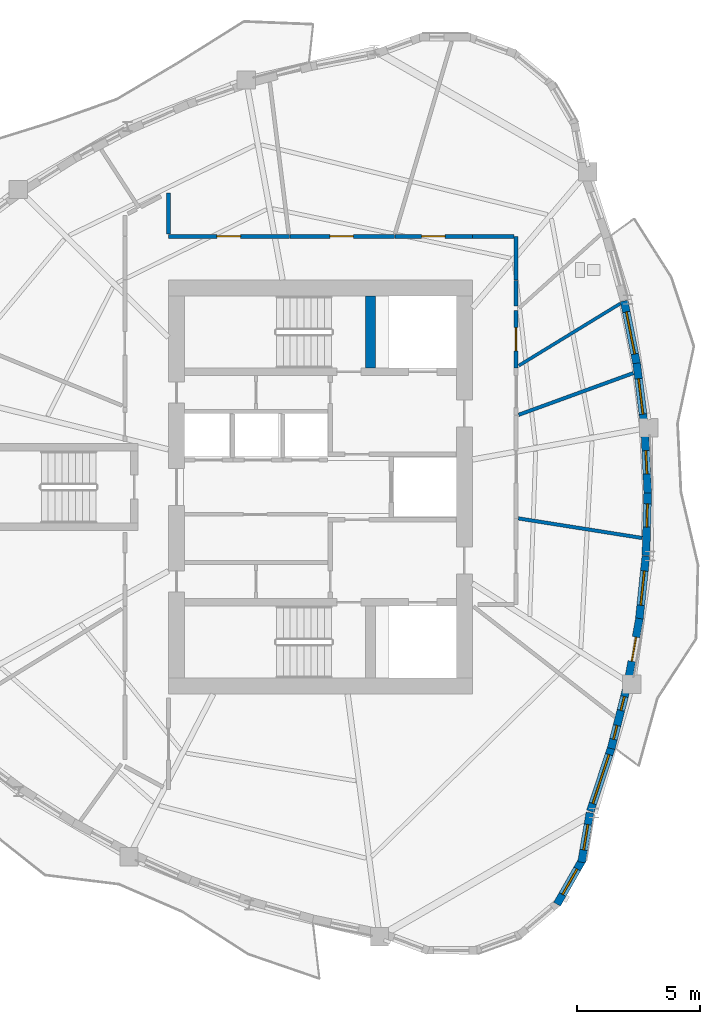
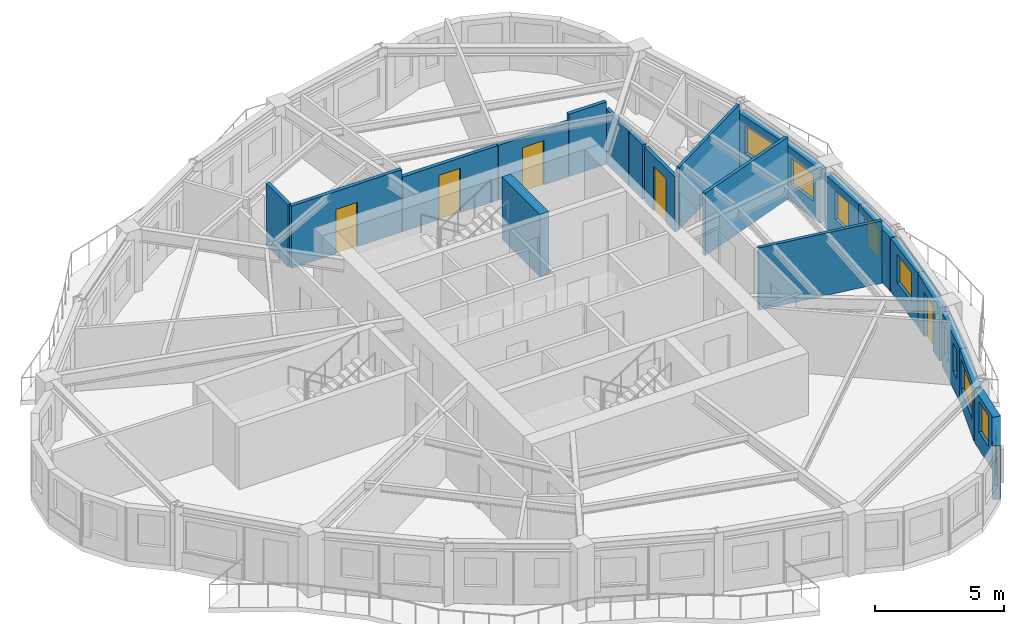
# One storey, part 6 of 12: 22 walls, 10 windows, 5 doors, 15 openings.
"""IFC4 building model written with IfcOpenShell, lengths in metres."""

from ifc_helpers import new_model, si_unit, direction, frame, frame_2d, origin, place, context, subcontext, project, spatial, rectangle, extrude, source, transform, mapped, material, layer, layer_set, type_object, element, fill, save


model = new_model("IFC4")

# Units and contexts
model_context = context("Model", 3, precision=1e-05, world=origin(), true_north=direction((0.0, 1.0)))
body_context = subcontext(model_context, "Body", "Model", "MODEL_VIEW")
ifc_project = project(units=[si_unit("LENGTHUNIT", "METRE"), si_unit("AREAUNIT", "SQUARE_METRE"), si_unit("VOLUMEUNIT", "CUBIC_METRE"), si_unit("PLANEANGLEUNIT", "RADIAN"), si_unit("MASSUNIT", "GRAM", prefix="KILO")], contexts=[model_context])

# Site, building, storey
site_placement = place(None, origin())
site = spatial("IfcSite", under=ifc_project, at=site_placement, CompositionType="ELEMENT")
building_placement = place(site_placement, origin())
building = spatial("IfcBuilding", under=site, at=building_placement, Name="Qafzar Sky-Pleat Residences", CompositionType="ELEMENT")
storey_placement = place(building_placement, frame((0.0, 0.0, 171.39990234375)))
storey = spatial("IfcBuildingStorey", under=building, at=storey_placement, Name="L51", CompositionType="ELEMENT", Elevation=171.39990234375)

# Wall, opening, door
ifc_material_1 = material(Name="Acoustic gypsum plasterboard partition", Category="gypsum")
ifc_layer_1 = layer(ifc_material_1, 0.159912109375)
ifc_layer_set_1 = layer_set([ifc_layer_1], Name="Acoustic gypsum plasterboard partition")
wall_type_1 = type_object("IfcWallType", Name="PART-COR-160", PredefinedType="PARTITIONING", material=ifc_layer_set_1)
wall_1_placement = place(storey_placement, frame((24.14990234375, 36.22998046875, 0.0), z_axis=(0.0, 0.0, 1.0), x_axis=(1.0, 0.0, 0.0)))
wall_1 = element("IfcWall", 1, at=wall_1_placement, inside=storey, type_object=wall_type_1, Name="L51 Partition Wall PART-L51-PW-003", PredefinedType="PARTITIONING", context=body_context, shape_type="SweptSolid", body=[
    extrude(rectangle(XDim=4.93603515625, YDim=0.159912109375, at=frame_2d((2.468017578125, 0.0))), origin(), (0.0, 0.0, 1.0), 2.9501953125),
])
opening_1_placement = place(wall_1_placement, frame((1.98046875, 0.0, 0.0)))
opening_1 = element("IfcOpeningElement", 2, at=opening_1_placement, cuts=wall_1, Name="Opening ID-06", PredefinedType="OPENING", context=body_context, shape_type="SweptSolid", body=[
    extrude(rectangle(XDim=0.9599609375, YDim=2.10009765625, at=frame_2d((0.47998046875, 1.050048828125))), frame((0.0, 0.08984375, 0.0), z_axis=(0.0, -1.0, 0.0), x_axis=(1.0, 0.0, 0.0)), (0.0, 0.0, 1.0), 0.179931640625),
])
ifc_material_2 = material(Name="Timber-faced fire door", Category="wood")
door_type_1 = type_object("IfcDoorType", Name="DR-STD-960", OperationType="NOTDEFINED", PredefinedType="DOOR", material=ifc_material_2)
shared_shape_1 = source(origin(), body_context, "Body", "SweptSolid", [
    extrude(rectangle(XDim=0.9599609375, YDim=2.10009765625, at=frame_2d((0.47998046875, 1.050048828125))), frame((0.0, 0.02490234375, 0.0), z_axis=(0.0, -1.0, 0.0), x_axis=(1.0, 0.0, 0.0)), (0.0, 0.0, 1.0), 0.050048828125),
])
door_1_placement = place(opening_1_placement, origin())
door_1 = element("IfcDoor", 3, at=door_1_placement, inside=storey, type_object=door_type_1, Name="L51 Wellness Yoga Studio Door", OperationType="SINGLE_SWING_LEFT", OverallHeight=2.10009765625, OverallWidth=0.9599609375, PredefinedType="DOOR", context=body_context, shape_type="MappedRepresentation", body=[
    mapped(shared_shape_1, transform((0.0, 0.0, 0.0), x_axis=(1.0, 0.0, 0.0), y_axis=(0.0, 1.0, 0.0), z_axis=(0.0, 0.0, 1.0), scale=1.0)),
])
fill(opening_1, door_1)

wall_2_placement = place(storey_placement, frame((29.10107421875, 36.22998046875, 0.0), z_axis=(0.0, 0.0, 1.0), x_axis=(1.0, 0.0, 0.0)))
wall_2 = element("IfcWall", 4, at=wall_2_placement, inside=storey, type_object=wall_type_1, Name="L51 Partition Wall PART-L51-PW-004", PredefinedType="PARTITIONING", context=body_context, shape_type="SweptSolid", body=[
    extrude(rectangle(XDim=4.280029296875, YDim=0.159912109375, at=frame_2d((2.14013671875, 0.0))), origin(), (0.0, 0.0, 1.0), 2.588134765625),
])
opening_2_placement = place(wall_2_placement, frame((1.636962890625, 0.0, 0.0)))
opening_2 = element("IfcOpeningElement", 5, at=opening_2_placement, cuts=wall_2, Name="Opening ID-06", PredefinedType="OPENING", context=body_context, shape_type="SweptSolid", body=[
    extrude(rectangle(XDim=0.9599609375, YDim=2.10009765625, at=frame_2d((0.47998046875, 1.050048828125))), frame((0.0, 0.08984375, 0.0), z_axis=(0.0, -1.0, 0.0), x_axis=(1.0, 0.0, 0.0)), (0.0, 0.0, 1.0), 0.179931640625),
])
door_2_placement = place(opening_2_placement, origin())
door_2 = element("IfcDoor", 6, at=door_2_placement, inside=storey, type_object=door_type_1, Name="L51 Postdoctoral Admin Office Door", OperationType="SINGLE_SWING_RIGHT", OverallHeight=2.10009765625, OverallWidth=0.9599609375, PredefinedType="DOOR", context=body_context, shape_type="MappedRepresentation", body=[
    mapped(shared_shape_1, transform((0.0, 0.0, 0.0), x_axis=(1.0, 0.0, 0.0), y_axis=(0.0, 1.0, 0.0), z_axis=(0.0, 0.0, 1.0), scale=1.0)),
])
fill(opening_2, door_2)

wall_3_placement = place(storey_placement, frame((33.39599609375, 36.22998046875, 0.0), z_axis=(0.0, 0.0, 1.0), x_axis=(1.0, 0.0, 0.0)))
wall_3 = element("IfcWall", 7, at=wall_3_placement, inside=storey, type_object=wall_type_1, Name="L51 Partition Wall PART-L51-PW-008", PredefinedType="PARTITIONING", context=body_context, shape_type="SweptSolid", body=[
    extrude(rectangle(XDim=3.154052734375, YDim=0.159912109375, at=frame_2d((1.5771484375, 0.0))), origin(), (0.0, 0.0, 1.0), 2.588134765625),
])
opening_3_placement = place(wall_3_placement, frame((1.08154296875, 0.0, 0.0)))
opening_3 = element("IfcOpeningElement", 8, at=opening_3_placement, cuts=wall_3, Name="Opening ID-06", PredefinedType="OPENING", context=body_context, shape_type="SweptSolid", body=[
    extrude(rectangle(XDim=0.9599609375, YDim=2.10009765625, at=frame_2d((0.47998046875, 1.050048828125))), frame((0.0, 0.08984375, 0.0), z_axis=(0.0, -1.0, 0.0), x_axis=(1.0, 0.0, 0.0)), (0.0, 0.0, 1.0), 0.179931640625),
])
door_3_placement = place(opening_3_placement, origin())
door_3 = element("IfcDoor", 9, at=door_3_placement, inside=storey, type_object=door_type_1, Name="L51 Graduate Desk Workspace Door", OperationType="SINGLE_SWING_RIGHT", OverallHeight=2.10009765625, OverallWidth=0.9599609375, PredefinedType="DOOR", context=body_context, shape_type="MappedRepresentation", body=[
    mapped(shared_shape_1, transform((0.0, 0.0, 0.0), x_axis=(1.0, 0.0, 0.0), y_axis=(0.0, 1.0, 0.0), z_axis=(0.0, 0.0, 1.0), scale=1.0)),
])
fill(opening_3, door_3)

wall_4_placement = place(storey_placement, frame((38.330078125, 33.2060546875, 0.0), z_axis=(0.0, 0.0, 1.0), x_axis=(0.0, -1.0, 0.0)))
wall_4 = element("IfcWall", 10, at=wall_4_placement, inside=storey, type_object=wall_type_1, Name="L51 Partition Wall PART-L51-PW-010", PredefinedType="PARTITIONING", context=body_context, shape_type="SweptSolid", body=[
    extrude(rectangle(XDim=2.343017578125, YDim=0.159912109375, at=frame_2d((1.17138671875, 0.0))), origin(), (0.0, 0.0, 1.0), 2.588134765625),
])
opening_4_placement = place(wall_4_placement, frame((0.697509765625, 0.0, 0.0)))
opening_4 = element("IfcOpeningElement", 11, at=opening_4_placement, cuts=wall_4, Name="Opening ID-08", PredefinedType="OPENING", context=body_context, shape_type="SweptSolid", body=[
    extrude(rectangle(XDim=0.949951171875, YDim=2.10009765625, at=frame_2d((0.47509765625, 1.050048828125))), frame((0.0, 0.08984375, 0.0), z_axis=(0.0, -1.0, 0.0), x_axis=(1.0, 0.0, 0.0)), (0.0, 0.0, 1.0), 0.179931640625),
])
door_type_2 = type_object("IfcDoorType", Name="DR-AWC-950", OperationType="NOTDEFINED", PredefinedType="DOOR", material=ifc_material_2)
shared_shape_2 = source(origin(), body_context, "Body", "SweptSolid", [
    extrude(rectangle(XDim=0.949951171875, YDim=2.10009765625, at=frame_2d((0.47509765625, 1.050048828125))), frame((0.0, 0.02490234375, 0.0), z_axis=(0.0, -1.0, 0.0), x_axis=(1.0, 0.0, 0.0)), (0.0, 0.0, 1.0), 0.050048828125),
])
door_4_placement = place(opening_4_placement, origin())
door_4 = element("IfcDoor", 12, at=door_4_placement, inside=storey, type_object=door_type_2, Name="L51 Accessible Shared Washroom Door", OperationType="SINGLE_SWING_LEFT", OverallHeight=2.10009765625, OverallWidth=0.949951171875, PredefinedType="DOOR", context=body_context, shape_type="MappedRepresentation", body=[
    mapped(shared_shape_2, transform((0.0, 0.0, 0.0), x_axis=(1.0, 0.0, 0.0), y_axis=(0.0, 1.0, 0.0), z_axis=(0.0, 0.0, 1.0), scale=1.0)),
])
fill(opening_4, door_4)

# Walls
wall_5_placement = place(storey_placement, frame((38.330078125, 34.449951171875, 0.0), z_axis=(0.0, 0.0, 1.0), x_axis=(0.0, 1.0, 0.0)))
element("IfcWall", 13, at=wall_5_placement, inside=storey, type_object=wall_type_1, Name="L51 Partition Wall PART-L51-PW-026", PredefinedType="PARTITIONING", context=body_context, shape_type="SweptSolid", body=[
    extrude(rectangle(XDim=1.780029296875, YDim=0.159912109375, at=frame_2d((0.89013671875, 0.0))), origin(), (0.0, 0.0, 1.0), 2.588134765625),
])
wall_6_placement = place(storey_placement, frame((24.14990234375, 36.318115234375, 0.0), z_axis=(0.0, 0.0, 1.0), x_axis=(0.0, 1.0, 0.0)))
element("IfcWall", 14, at=wall_6_placement, inside=storey, type_object=wall_type_1, Name="L51 Partition Wall PART-L51-PW-028", PredefinedType="PARTITIONING", context=body_context, shape_type="SweptSolid", body=[
    extrude(rectangle(XDim=1.678955078125, YDim=0.159912109375, at=frame_2d((0.83935546875, 0.0))), origin(), (0.0, 0.0, 1.0), 2.9501953125),
])
wall_7_placement = place(storey_placement, frame((36.56494140625, 36.22998046875, 0.0), z_axis=(0.0, 0.0, 1.0), x_axis=(1.0, 0.0, 0.0)))
element("IfcWall", 15, at=wall_7_placement, inside=storey, type_object=wall_type_1, Name="L51 Partition Wall PART-L51-PW-029", PredefinedType="PARTITIONING", context=body_context, shape_type="SweptSolid", body=[
    extrude(rectangle(XDim=1.677001953125, YDim=0.159912109375, at=frame_2d((0.83837890625, 0.0))), origin(), (0.0, 0.0, 1.0), 2.9501953125),
])
wall_8_placement = place(storey_placement, frame((38.330078125, 33.388427734375, 0.0), z_axis=(0.0, 0.0, 1.0), x_axis=(0.0, 1.0, 0.0)))
element("IfcWall", 16, at=wall_8_placement, inside=storey, type_object=wall_type_1, Name="L51 Partition Wall PART-L51-PW-031", PredefinedType="PARTITIONING", context=body_context, shape_type="SweptSolid", body=[
    extrude(rectangle(XDim=1.046630859375, YDim=0.159912109375, at=frame_2d((0.5234375, 0.0))), origin(), (0.0, 0.0, 1.0), 2.588134765625),
])
ifc_layer_2 = layer(ifc_material_1, 0.14501953125)
ifc_layer_set_2 = layer_set([ifc_layer_2], Name="Acoustic gypsum plasterboard partition")
wall_type_2 = type_object("IfcWallType", Name="PART-UNIT-145", PredefinedType="PARTITIONING", material=ifc_layer_set_2)
wall_9_placement = place(storey_placement, frame((38.42919921875, 24.71923828125, 0.0), z_axis=(0.0, 0.0, 1.0), x_axis=(0.98767528873, -0.156516849034, 0.0)))
element("IfcWall", 17, at=wall_9_placement, inside=storey, type_object=wall_type_2, Name="L51 Partition Wall PART-L51-PW-019", PredefinedType="PARTITIONING", context=body_context, shape_type="SweptSolid", body=[
    extrude(rectangle(XDim=5.111572265625, YDim=0.14501953125, at=frame_2d((2.5556640625, 0.0))), origin(), (0.0, 0.0, 1.0), 2.9501953125),
])
wall_10_placement = place(storey_placement, frame((38.4423828125, 28.94580078125, 0.0), z_axis=(0.0, 0.0, 1.0), x_axis=(0.939673102303, 0.342073765155, 0.0)))
element("IfcWall", 18, at=wall_10_placement, inside=storey, type_object=wall_type_2, Name="L51 Partition Wall PART-L51-PW-020", PredefinedType="PARTITIONING", context=body_context, shape_type="SweptSolid", body=[
    extrude(rectangle(XDim=4.978759765625, YDim=0.14501953125, at=frame_2d((2.4892578125, 0.0))), origin(), (0.0, 0.0, 1.0), 2.9501953125),
])
ifc_material_3 = material(Name="Moisture-resistant gypsum partition", Category="gypsum")
ifc_layer_3 = layer(ifc_material_3, 0.1298828125)
ifc_layer_set_3 = layer_set([ifc_layer_3], Name="Moisture-resistant gypsum partition")
wall_type_3 = type_object("IfcWallType", Name="PART-WET-130", PredefinedType="PARTITIONING", material=ifc_layer_set_3)
wall_11_placement = place(storey_placement, frame((38.45068359375, 30.954833984375, 0.0), z_axis=(0.0, 0.0, 1.0), x_axis=(0.85307660207, 0.521785694515, 0.0)))
element("IfcWall", 19, at=wall_11_placement, inside=storey, type_object=wall_type_3, Name="L51 Partition Wall PART-L51-PW-021", PredefinedType="PARTITIONING", context=body_context, shape_type="SweptSolid", body=[
    extrude(rectangle(XDim=4.853515625, YDim=0.1298828125, at=frame_2d((2.4267578125, 0.0))), origin(), (0.0, 0.0, 1.0), 2.9501953125),
])

# Wall, opening, window
ifc_material_4 = material(Name="Precast concrete C40/50 with honed Riyadh limestone", Category="concrete")
ifc_layer_4 = layer(ifc_material_4, 0.320068359375)
ifc_layer_set_4 = layer_set([ifc_layer_4], Name="Precast concrete C40/50 with honed Riyadh limestone")
wall_type_4 = type_object("IfcWallType", Name="WALL-EXT-320", PredefinedType="SOLIDWALL", material=ifc_layer_set_4)
wall_12_placement = place(storey_placement, frame((40.0078125, 8.977294921875, 0.0), z_axis=(0.0, 0.0, 1.0), x_axis=(0.495802305102, 0.868435417435, 0.0)))
wall_12 = element("IfcWall", 20, at=wall_12_placement, inside=storey, type_object=wall_type_4, Name="L51 Limestone Facade Wall 21", PredefinedType="SOLIDWALL", context=body_context, shape_type="SweptSolid", body=[
    extrude(rectangle(XDim=2.109130859375, YDim=0.320068359375, at=frame_2d((1.0546875, 0.0))), origin(), (0.0, 0.0, 1.0), 2.530029296875),
])
opening_5_placement = place(wall_12_placement, frame((0.454345703125, 0.0, 0.820068359375)))
opening_5 = element("IfcOpeningElement", 21, at=opening_5_placement, cuts=wall_12, Name="Opening WN-05", PredefinedType="OPENING", context=body_context, shape_type="SweptSolid", body=[
    extrude(rectangle(XDim=1.199951171875, YDim=1.449951171875, at=frame_2d((0.60009765625, 0.72509765625))), frame((0.0, 0.169921875, 0.0), z_axis=(0.0, -1.0, 0.0), x_axis=(1.0, 0.0, 0.0)), (0.0, 0.0, 1.0), 0.340087890625),
])
ifc_material_5 = material(Name="Solar-control low-E glass in bronze aluminium frame", Category="glass")
window_type_1 = type_object("IfcWindowType", Name="WIN-05", PartitioningType="SINGLE_PANEL", PredefinedType="WINDOW", material=ifc_material_5)
shared_shape_3 = source(origin(), body_context, "Body", "SweptSolid", [
    extrude(rectangle(XDim=1.199951171875, YDim=1.449951171875, at=frame_2d((0.60009765625, 0.72509765625))), frame((0.0, 0.030029296875, 0.0), z_axis=(0.0, -1.0, 0.0), x_axis=(1.0, 0.0, 0.0)), (0.0, 0.0, 1.0), 0.06005859375),
])
window_1_placement = place(opening_5_placement, origin())
window_1 = element("IfcWindow", 22, at=window_1_placement, inside=storey, type_object=window_type_1, Name="L51 Punched Facade Window 21", OverallHeight=1.449951171875, OverallWidth=1.199951171875, PartitioningType="SINGLE_PANEL", PredefinedType="WINDOW", context=body_context, shape_type="MappedRepresentation", body=[
    mapped(shared_shape_3, transform((0.0, 0.0, 0.0), x_axis=(1.0, 0.0, 0.0), y_axis=(0.0, 1.0, 0.0), z_axis=(0.0, 0.0, 1.0), scale=1.0)),
])
fill(opening_5, window_1)

wall_13_placement = place(storey_placement, frame((41.009521484375, 10.685546875, 0.0), z_axis=(0.0, 0.0, 1.0), x_axis=(0.165595781399, 0.986193711794, 0.0)))
wall_13 = element("IfcWall", 23, at=wall_13_placement, inside=storey, type_object=wall_type_4, Name="L51 Limestone Facade Wall 22", PredefinedType="SOLIDWALL", context=body_context, shape_type="SweptSolid", body=[
    extrude(rectangle(XDim=2.05078125, YDim=0.320068359375, at=frame_2d((1.025390625, 0.0))), origin(), (0.0, 0.0, 1.0), 2.530029296875),
])
opening_6_placement = place(wall_13_placement, frame((0.510498046875, 0.0, 0.820068359375)))
opening_6 = element("IfcOpeningElement", 24, at=opening_6_placement, cuts=wall_13, Name="Opening WN-06", PredefinedType="OPENING", context=body_context, shape_type="SweptSolid", body=[
    extrude(rectangle(XDim=1.050048828125, YDim=1.449951171875, at=frame_2d((0.52490234375, 0.72509765625))), frame((0.0, 0.169921875, 0.0), z_axis=(0.0, -1.0, 0.0), x_axis=(1.0, 0.0, 0.0)), (0.0, 0.0, 1.0), 0.340087890625),
])
window_type_2 = type_object("IfcWindowType", Name="WIN-06", PartitioningType="SINGLE_PANEL", PredefinedType="WINDOW", material=ifc_material_5)
shared_shape_4 = source(origin(), body_context, "Body", "SweptSolid", [
    extrude(rectangle(XDim=1.050048828125, YDim=1.449951171875, at=frame_2d((0.52490234375, 0.72509765625))), frame((0.0, 0.030029296875, 0.0), z_axis=(0.0, -1.0, 0.0), x_axis=(1.0, 0.0, 0.0)), (0.0, 0.0, 1.0), 0.06005859375),
])
window_2_placement = place(opening_6_placement, origin())
window_2 = element("IfcWindow", 25, at=window_2_placement, inside=storey, type_object=window_type_2, Name="L51 Punched Facade Window 22", OverallHeight=1.449951171875, OverallWidth=1.050048828125, PartitioningType="SINGLE_PANEL", PredefinedType="WINDOW", context=body_context, shape_type="MappedRepresentation", body=[
    mapped(shared_shape_4, transform((0.0, 0.0, 0.0), x_axis=(1.0, 0.0, 0.0), y_axis=(0.0, 1.0, 0.0), z_axis=(0.0, 0.0, 1.0), scale=1.0)),
])
fill(opening_6, window_2)

wall_14_placement = place(storey_placement, frame((41.36474609375, 12.7705078125, 0.0), z_axis=(0.0, 0.0, 1.0), x_axis=(0.314358373976, 0.949304383594, 0.0)))
wall_14 = element("IfcWall", 26, at=wall_14_placement, inside=storey, type_object=wall_type_4, Name="L51 Limestone Facade Wall 23", PredefinedType="SOLIDWALL", context=body_context, shape_type="SweptSolid", body=[
    extrude(rectangle(XDim=2.78271484375, YDim=0.320068359375, at=frame_2d((1.391357421875, 0.0))), origin(), (0.0, 0.0, 1.0), 2.530029296875),
])
opening_7_placement = place(wall_14_placement, frame((0.331298828125, 0.0, 0.820068359375)))
opening_7 = element("IfcOpeningElement", 27, at=opening_7_placement, cuts=wall_14, Name="Opening WN-07", PredefinedType="OPENING", context=body_context, shape_type="SweptSolid", body=[
    extrude(rectangle(XDim=2.10009765625, YDim=1.39990234375, at=frame_2d((1.050048828125, 0.699951171875))), frame((0.0, 0.169921875, 0.0), z_axis=(0.0, -1.0, 0.0), x_axis=(1.0, 0.0, 0.0)), (0.0, 0.0, 1.0), 0.340087890625),
])
window_type_3 = type_object("IfcWindowType", Name="WIN-07", PartitioningType="DOUBLE_PANEL_VERTICAL", PredefinedType="WINDOW", material=ifc_material_5)
shared_shape_5 = source(origin(), body_context, "Body", "SweptSolid", [
    extrude(rectangle(XDim=2.10009765625, YDim=1.39990234375, at=frame_2d((1.050048828125, 0.699951171875))), frame((0.0, 0.030029296875, 0.0), z_axis=(0.0, -1.0, 0.0), x_axis=(1.0, 0.0, 0.0)), (0.0, 0.0, 1.0), 0.06005859375),
])
window_3_placement = place(opening_7_placement, origin())
window_3 = element("IfcWindow", 28, at=window_3_placement, inside=storey, type_object=window_type_3, Name="L51 Punched Facade Window 23", OverallHeight=1.39990234375, OverallWidth=2.10009765625, PartitioningType="SINGLE_PANEL", PredefinedType="WINDOW", context=body_context, shape_type="MappedRepresentation", body=[
    mapped(shared_shape_5, transform((0.0, 0.0, 0.0), x_axis=(1.0, 0.0, 0.0), y_axis=(0.0, 1.0, 0.0), z_axis=(0.0, 0.0, 1.0), scale=1.0)),
])
fill(opening_7, window_3)

# Wall, openings, windows
wall_15_placement = place(storey_placement, frame((42.215087890625, 15.32861328125, 0.0), z_axis=(0.0, 0.0, 1.0), x_axis=(0.247653539834, 0.968848659083, 0.0)))
wall_15 = element("IfcWall", 29, at=wall_15_placement, inside=storey, type_object=wall_type_4, Name="L51 Limestone Facade Wall 24", PredefinedType="SOLIDWALL", context=body_context, shape_type="SweptSolid", body=[
    extrude(rectangle(XDim=2.579833984375, YDim=0.320068359375, at=frame_2d((1.2900390625, 0.0))), origin(), (0.0, 0.0, 1.0), 2.530029296875),
])
opening_8_placement = place(wall_15_placement, frame((0.39013671875, 0.0, 0.820068359375)))
opening_8 = element("IfcOpeningElement", 30, at=opening_8_placement, cuts=wall_15, Name="Opening WN-17", PredefinedType="OPENING", context=body_context, shape_type="SweptSolid", body=[
    extrude(rectangle(XDim=0.580078125, YDim=1.35009765625, at=frame_2d((0.2900390625, 0.675048828125))), frame((0.0, 0.169921875, 0.0), z_axis=(0.0, -1.0, 0.0), x_axis=(1.0, 0.0, 0.0)), (0.0, 0.0, 1.0), 0.340087890625),
])
opening_9_placement = place(wall_15_placement, frame((1.60498046875, 0.0, 0.820068359375)))
opening_9 = element("IfcOpeningElement", 31, at=opening_9_placement, cuts=wall_15, Name="Opening WN-17", PredefinedType="OPENING", context=body_context, shape_type="SweptSolid", body=[
    extrude(rectangle(XDim=0.580078125, YDim=1.35009765625, at=frame_2d((0.2900390625, 0.675048828125))), frame((0.0, 0.169921875, 0.0), z_axis=(0.0, -1.0, 0.0), x_axis=(1.0, 0.0, 0.0)), (0.0, 0.0, 1.0), 0.340087890625),
])
window_type_4 = type_object("IfcWindowType", Name="WIN-17", PartitioningType="SINGLE_PANEL", PredefinedType="WINDOW", material=ifc_material_5)
shared_shape_6 = source(origin(), body_context, "Body", "SweptSolid", [
    extrude(rectangle(XDim=0.580078125, YDim=1.35009765625, at=frame_2d((0.2900390625, 0.675048828125))), frame((0.0, 0.030029296875, 0.0), z_axis=(0.0, -1.0, 0.0), x_axis=(1.0, 0.0, 0.0)), (0.0, 0.0, 1.0), 0.06005859375),
])
window_4_placement = place(opening_8_placement, origin())
window_4 = element("IfcWindow", 32, at=window_4_placement, inside=storey, type_object=window_type_4, Name="L51 Punched Facade Window 24", OverallHeight=1.35009765625, OverallWidth=0.580078125, PartitioningType="SINGLE_PANEL", PredefinedType="WINDOW", context=body_context, shape_type="MappedRepresentation", body=[
    mapped(shared_shape_6, transform((0.0, 0.0, 0.0), x_axis=(1.0, 0.0, 0.0), y_axis=(0.0, 1.0, 0.0), z_axis=(0.0, 0.0, 1.0), scale=1.0)),
])
fill(opening_8, window_4)
window_5_placement = place(opening_9_placement, origin())
window_5 = element("IfcWindow", 33, at=window_5_placement, inside=storey, type_object=window_type_4, Name="L51 Punched Facade Window 24-2", OverallHeight=1.35009765625, OverallWidth=0.580078125, PartitioningType="SINGLE_PANEL", PredefinedType="WINDOW", context=body_context, shape_type="MappedRepresentation", body=[
    mapped(shared_shape_6, transform((0.0, 0.0, 0.0), x_axis=(1.0, 0.0, 0.0), y_axis=(0.0, 1.0, 0.0), z_axis=(0.0, 0.0, 1.0), scale=1.0)),
])
fill(opening_9, window_5)

# Wall, opening, door
wall_16_placement = place(storey_placement, frame((42.921875, 18.13916015625, 0.0), z_axis=(0.0, 0.0, 1.0), x_axis=(0.177063467193, 0.984199435371, 0.0)))
wall_16 = element("IfcWall", 34, at=wall_16_placement, inside=storey, type_object=wall_type_4, Name="L51 Limestone Facade Wall 25", PredefinedType="SOLIDWALL", context=body_context, shape_type="SweptSolid", body=[
    extrude(rectangle(XDim=2.53564453125, YDim=0.320068359375, at=frame_2d((1.267822265625, 0.0))), origin(), (0.0, 0.0, 1.0), 2.530029296875),
])
opening_10_placement = place(wall_16_placement, frame((0.762939453125, 0.0, 0.0)))
opening_10 = element("IfcOpeningElement", 35, at=opening_10_placement, cuts=wall_16, Name="Opening ED-05", PredefinedType="OPENING", context=body_context, shape_type="SweptSolid", body=[
    extrude(rectangle(XDim=1.0, YDim=2.10009765625, at=frame_2d((0.5, 1.050048828125))), frame((0.0, 0.169921875, 0.0), z_axis=(0.0, -1.0, 0.0), x_axis=(1.0, 0.0, 0.0)), (0.0, 0.0, 1.0), 0.340087890625),
])
ifc_material_6 = material(Name="Glazed bronze aluminium door", Category="aluminium")
door_type_3 = type_object("IfcDoorType", Name="DR-BAL-1000", OperationType="NOTDEFINED", PredefinedType="DOOR", material=ifc_material_6)
shared_shape_7 = source(origin(), body_context, "Body", "SweptSolid", [
    extrude(rectangle(XDim=1.0, YDim=2.10009765625, at=frame_2d((0.5, 1.050048828125))), frame((0.0, 0.02490234375, 0.0), z_axis=(0.0, -1.0, 0.0), x_axis=(1.0, 0.0, 0.0)), (0.0, 0.0, 1.0), 0.050048828125),
])
door_5_placement = place(opening_10_placement, origin())
door_5 = element("IfcDoor", 36, at=door_5_placement, inside=storey, type_object=door_type_3, Name="L51 Glazed Balcony Door 1", OperationType="SINGLE_SWING_LEFT", OverallHeight=2.10009765625, OverallWidth=1.0, PredefinedType="DOOR", context=body_context, shape_type="MappedRepresentation", body=[
    mapped(shared_shape_7, transform((0.0, 0.0, 0.0), x_axis=(1.0, 0.0, 0.0), y_axis=(0.0, 1.0, 0.0), z_axis=(0.0, 0.0, 1.0), scale=1.0)),
])
fill(opening_10, door_5)

# Wall, opening, window
wall_17_placement = place(storey_placement, frame((43.3583984375, 20.5478515625, 0.0), z_axis=(0.0, 0.0, 1.0), x_axis=(0.103697188692, 0.994608914628, 0.0)))
wall_17 = element("IfcWall", 37, at=wall_17_placement, inside=storey, type_object=wall_type_4, Name="L51 Limestone Facade Wall 26", PredefinedType="SOLIDWALL", context=body_context, shape_type="SweptSolid", body=[
    extrude(rectangle(XDim=2.651123046875, YDim=0.320068359375, at=frame_2d((1.32568359375, 0.0))), origin(), (0.0, 0.0, 1.0), 2.530029296875),
])
opening_11_placement = place(wall_17_placement, frame((0.635498046875, 0.0, 0.820068359375)))
opening_11 = element("IfcOpeningElement", 38, at=opening_11_placement, cuts=wall_17, Name="Opening WN-10", PredefinedType="OPENING", context=body_context, shape_type="SweptSolid", body=[
    extrude(rectangle(XDim=1.39990234375, YDim=1.35009765625, at=frame_2d((0.699951171875, 0.675048828125))), frame((0.0, 0.169921875, 0.0), z_axis=(0.0, -1.0, 0.0), x_axis=(1.0, 0.0, 0.0)), (0.0, 0.0, 1.0), 0.340087890625),
])
window_type_5 = type_object("IfcWindowType", Name="WIN-10", PartitioningType="SINGLE_PANEL", PredefinedType="WINDOW", material=ifc_material_5)
shared_shape_8 = source(origin(), body_context, "Body", "SweptSolid", [
    extrude(rectangle(XDim=1.39990234375, YDim=1.35009765625, at=frame_2d((0.699951171875, 0.675048828125))), frame((0.0, 0.030029296875, 0.0), z_axis=(0.0, -1.0, 0.0), x_axis=(1.0, 0.0, 0.0)), (0.0, 0.0, 1.0), 0.06005859375),
])
window_6_placement = place(opening_11_placement, origin())
window_6 = element("IfcWindow", 39, at=window_6_placement, inside=storey, type_object=window_type_5, Name="L51 Punched Facade Window 26", OverallHeight=1.35009765625, OverallWidth=1.39990234375, PartitioningType="SINGLE_PANEL", PredefinedType="WINDOW", context=body_context, shape_type="MappedRepresentation", body=[
    mapped(shared_shape_8, transform((0.0, 0.0, 0.0), x_axis=(1.0, 0.0, 0.0), y_axis=(0.0, 1.0, 0.0), z_axis=(0.0, 0.0, 1.0), scale=1.0)),
])
fill(opening_11, window_6)

wall_18_placement = place(storey_placement, frame((43.635009765625, 23.21240234375, 0.0), z_axis=(0.0, 0.0, 1.0), x_axis=(0.028250395457, 0.999600877929, 0.0)))
wall_18 = element("IfcWall", 40, at=wall_18_placement, inside=storey, type_object=wall_type_4, Name="L51 Limestone Facade Wall 27", PredefinedType="SOLIDWALL", context=body_context, shape_type="SweptSolid", body=[
    extrude(rectangle(XDim=2.6357421875, YDim=0.320068359375, at=frame_2d((1.31787109375, 0.0))), origin(), (0.0, 0.0, 1.0), 2.530029296875),
])
opening_12_placement = place(wall_18_placement, frame((1.152099609375, 0.0, 0.820068359375)))
opening_12 = element("IfcOpeningElement", 41, at=opening_12_placement, cuts=wall_18, Name="Opening WN-12", PredefinedType="OPENING", context=body_context, shape_type="SweptSolid", body=[
    extrude(rectangle(XDim=0.949951171875, YDim=1.35009765625, at=frame_2d((0.47509765625, 0.675048828125))), frame((0.0, 0.169921875, 0.0), z_axis=(0.0, -1.0, 0.0), x_axis=(1.0, 0.0, 0.0)), (0.0, 0.0, 1.0), 0.340087890625),
])
window_type_6 = type_object("IfcWindowType", Name="WIN-12", PartitioningType="SINGLE_PANEL", PredefinedType="WINDOW", material=ifc_material_5)
shared_shape_9 = source(origin(), body_context, "Body", "SweptSolid", [
    extrude(rectangle(XDim=0.949951171875, YDim=1.35009765625, at=frame_2d((0.47509765625, 0.675048828125))), frame((0.0, 0.030029296875, 0.0), z_axis=(0.0, -1.0, 0.0), x_axis=(1.0, 0.0, 0.0)), (0.0, 0.0, 1.0), 0.06005859375),
])
window_7_placement = place(opening_12_placement, origin())
window_7 = element("IfcWindow", 42, at=window_7_placement, inside=storey, type_object=window_type_6, Name="L51 Punched Facade Window 27-2", OverallHeight=1.35009765625, OverallWidth=0.949951171875, PartitioningType="SINGLE_PANEL", PredefinedType="WINDOW", context=body_context, shape_type="MappedRepresentation", body=[
    mapped(shared_shape_9, transform((0.0, 0.0, 0.0), x_axis=(1.0, 0.0, 0.0), y_axis=(0.0, 1.0, 0.0), z_axis=(0.0, 0.0, 1.0), scale=1.0)),
])
fill(opening_12, window_7)

wall_19_placement = place(storey_placement, frame((43.71044921875, 25.759033203125, 0.0), z_axis=(0.0, 0.0, 1.0), x_axis=(-0.047728119822, 0.998860363904, 0.0)))
wall_19 = element("IfcWall", 43, at=wall_19_placement, inside=storey, type_object=wall_type_4, Name="L51 Limestone Facade Wall 28", PredefinedType="SOLIDWALL", context=body_context, shape_type="SweptSolid", body=[
    extrude(rectangle(XDim=2.4912109375, YDim=0.320068359375, at=frame_2d((1.24560546875, 0.0))), origin(), (0.0, 0.0, 1.0), 2.530029296875),
])
opening_13_placement = place(wall_19_placement, frame((0.775390625, 0.0, 0.820068359375)))
opening_13 = element("IfcOpeningElement", 44, at=opening_13_placement, cuts=wall_19, Name="Opening WN-12", PredefinedType="OPENING", context=body_context, shape_type="SweptSolid", body=[
    extrude(rectangle(XDim=0.949951171875, YDim=1.35009765625, at=frame_2d((0.47509765625, 0.675048828125))), frame((0.0, 0.169921875, 0.0), z_axis=(0.0, -1.0, 0.0), x_axis=(1.0, 0.0, 0.0)), (0.0, 0.0, 1.0), 0.340087890625),
])
window_8_placement = place(opening_13_placement, origin())
window_8 = element("IfcWindow", 45, at=window_8_placement, inside=storey, type_object=window_type_6, Name="L51 Punched Facade Window 28", OverallHeight=1.35009765625, OverallWidth=0.949951171875, PartitioningType="SINGLE_PANEL", PredefinedType="WINDOW", context=body_context, shape_type="MappedRepresentation", body=[
    mapped(shared_shape_9, transform((0.0, 0.0, 0.0), x_axis=(1.0, 0.0, 0.0), y_axis=(0.0, 1.0, 0.0), z_axis=(0.0, 0.0, 1.0), scale=1.0)),
])
fill(opening_13, window_8)

wall_20_placement = place(storey_placement, frame((43.564453125, 28.563720703125, 0.0), z_axis=(0.0, 0.0, 1.0), x_axis=(-0.122859489431, 0.992424075613, 0.0)))
wall_20 = element("IfcWall", 46, at=wall_20_placement, inside=storey, type_object=wall_type_4, Name="L51 Limestone Facade Wall 29", PredefinedType="SOLIDWALL", context=body_context, shape_type="SweptSolid", body=[
    extrude(rectangle(XDim=2.505859375, YDim=0.320068359375, at=frame_2d((1.2529296875, 0.0))), origin(), (0.0, 0.0, 1.0), 2.530029296875),
])
opening_14_placement = place(wall_20_placement, frame((0.416015625, 0.0, 0.820068359375)))
opening_14 = element("IfcOpeningElement", 47, at=opening_14_placement, cuts=wall_20, Name="Opening WN-15", PredefinedType="OPENING", context=body_context, shape_type="SweptSolid", body=[
    extrude(rectangle(XDim=1.449951171875, YDim=1.25, at=frame_2d((0.72509765625, 0.625))), frame((0.0, 0.169921875, 0.0), z_axis=(0.0, -1.0, 0.0), x_axis=(1.0, 0.0, 0.0)), (0.0, 0.0, 1.0), 0.340087890625),
])
window_type_7 = type_object("IfcWindowType", Name="WIN-15", PartitioningType="SINGLE_PANEL", PredefinedType="WINDOW", material=ifc_material_5)
shared_shape_10 = source(origin(), body_context, "Body", "SweptSolid", [
    extrude(rectangle(XDim=1.449951171875, YDim=1.25, at=frame_2d((0.72509765625, 0.625))), frame((0.0, 0.030029296875, 0.0), z_axis=(0.0, -1.0, 0.0), x_axis=(1.0, 0.0, 0.0)), (0.0, 0.0, 1.0), 0.06005859375),
])
window_9_placement = place(opening_14_placement, origin())
window_9 = element("IfcWindow", 48, at=window_9_placement, inside=storey, type_object=window_type_7, Name="L51 Punched Facade Window 29", OverallHeight=1.25, OverallWidth=1.449951171875, PartitioningType="SINGLE_PANEL", PredefinedType="WINDOW", context=body_context, shape_type="MappedRepresentation", body=[
    mapped(shared_shape_10, transform((0.0, 0.0, 0.0), x_axis=(1.0, 0.0, 0.0), y_axis=(0.0, 1.0, 0.0), z_axis=(0.0, 0.0, 1.0), scale=1.0)),
])
fill(opening_14, window_9)

wall_21_placement = place(storey_placement, frame((43.2705078125, 30.9638671875, 0.0), z_axis=(0.0, 0.0, 1.0), x_axis=(-0.196151159504, 0.980573670167, 0.0)))
wall_21 = element("IfcWall", 49, at=wall_21_placement, inside=storey, type_object=wall_type_4, Name="L51 Limestone Facade Wall 30", PredefinedType="SOLIDWALL", context=body_context, shape_type="SweptSolid", body=[
    extrude(rectangle(XDim=2.680908203125, YDim=0.320068359375, at=frame_2d((1.34033203125, 0.0))), origin(), (0.0, 0.0, 1.0), 2.530029296875),
])
opening_15_placement = place(wall_21_placement, frame((0.47265625, 0.0, 0.820068359375)))
opening_15 = element("IfcOpeningElement", 50, at=opening_15_placement, cuts=wall_21, Name="Opening WN-14", PredefinedType="OPENING", context=body_context, shape_type="SweptSolid", body=[
    extrude(rectangle(XDim=1.75, YDim=1.300048828125, at=frame_2d((0.875, 0.64990234375))), frame((0.0, 0.169921875, 0.0), z_axis=(0.0, -1.0, 0.0), x_axis=(1.0, 0.0, 0.0)), (0.0, 0.0, 1.0), 0.340087890625),
])
window_type_8 = type_object("IfcWindowType", Name="WIN-14", PartitioningType="DOUBLE_PANEL_VERTICAL", PredefinedType="WINDOW", material=ifc_material_5)
shared_shape_11 = source(origin(), body_context, "Body", "SweptSolid", [
    extrude(rectangle(XDim=1.75, YDim=1.300048828125, at=frame_2d((0.875, 0.64990234375))), frame((0.0, 0.030029296875, 0.0), z_axis=(0.0, -1.0, 0.0), x_axis=(1.0, 0.0, 0.0)), (0.0, 0.0, 1.0), 0.06005859375),
])
window_10_placement = place(opening_15_placement, origin())
window_10 = element("IfcWindow", 51, at=window_10_placement, inside=storey, type_object=window_type_8, Name="L51 Punched Facade Window 30", OverallHeight=1.300048828125, OverallWidth=1.75, PartitioningType="SINGLE_PANEL", PredefinedType="WINDOW", context=body_context, shape_type="MappedRepresentation", body=[
    mapped(shared_shape_11, transform((0.0, 0.0, 0.0), x_axis=(1.0, 0.0, 0.0), y_axis=(0.0, 1.0, 0.0), z_axis=(0.0, 0.0, 1.0), scale=1.0)),
])
fill(opening_15, window_10)

# Wall
ifc_material_7 = material(Name="Concrete C60/75", Category="concrete")
ifc_layer_5 = layer(ifc_material_7, 0.39990234375)
ifc_layer_set_5 = layer_set([ifc_layer_5], Name="Concrete C60/75")
wall_type_5 = type_object("IfcWallType", Name="WALL-SHEAR-400", PredefinedType="SHEAR", material=ifc_layer_set_5)
wall_22_placement = place(storey_placement, frame((32.39990234375, 30.85009765625, 0.0), z_axis=(0.0, 0.0, 1.0), x_axis=(0.0, 1.0, 0.0)))
element("IfcWall", 52, at=wall_22_placement, inside=storey, type_object=wall_type_5, Name="L51 Stair ST2 East Dividing Wall", PredefinedType="SHEAR", context=body_context, shape_type="SweptSolid", body=[
    extrude(rectangle(XDim=2.949951171875, YDim=0.39990234375, at=frame_2d((1.47509765625, 0.0))), origin(), (0.0, 0.0, 1.0), 2.9501953125),
])

save(model, "model.ifc")
